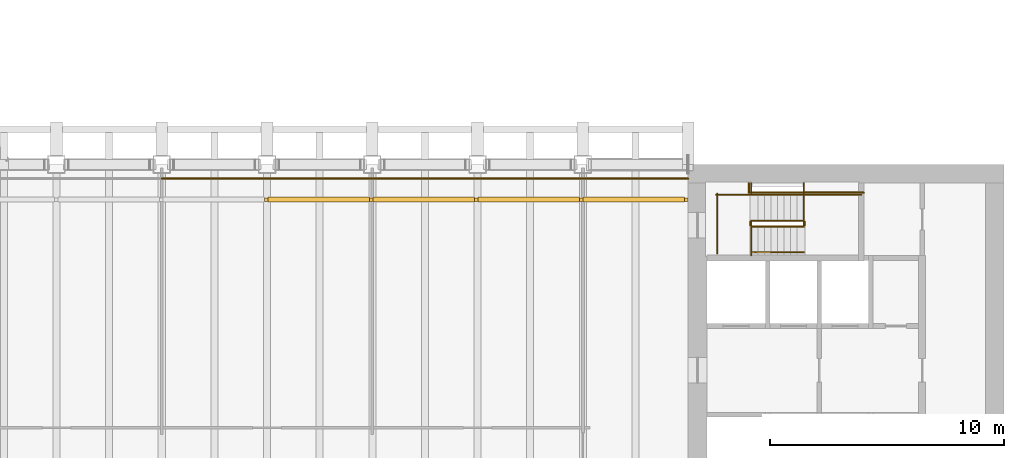
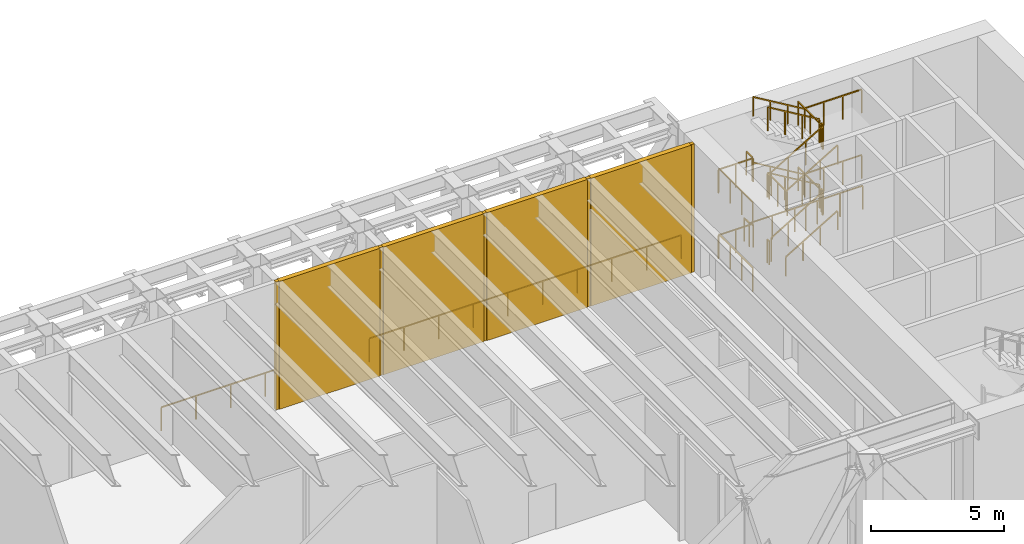
# One storey, part 18 of 20: 29 railings, 9 shading devices.
"""IFC4 building model written with IfcOpenShell, lengths in metres."""

from ifc_helpers import new_model, si_unit, direction, frame, origin, origin_2d, place, context, subcontext, project, spatial, rectangle, extrude, material, layer, layer_set, type_object, element, save


model = new_model("IFC4")

# Units and contexts
model_context = context("Model", 3, precision=1e-05, world=origin(), true_north=direction((0.0, 1.0)))
body_context = subcontext(model_context, "Body", "Model", "MODEL_VIEW")
ifc_project = project(units=[si_unit("LENGTHUNIT", "METRE"), si_unit("AREAUNIT", "SQUARE_METRE"), si_unit("VOLUMEUNIT", "CUBIC_METRE"), si_unit("PLANEANGLEUNIT", "RADIAN"), si_unit("MASSUNIT", "GRAM", prefix="KILO")], contexts=[model_context])

# Site, building, storey
site_placement = place(None, origin())
site = spatial("IfcSite", under=ifc_project, at=site_placement, CompositionType="ELEMENT")
building_placement = place(site_placement, origin())
building = spatial("IfcBuilding", under=site, at=building_placement, Name="Sennacour Bend Tower", CompositionType="ELEMENT")
storey_placement = place(building_placement, frame((0.0, 0.0, 243.0)))
storey = spatial("IfcBuildingStorey", under=building, at=storey_placement, Name="L56", CompositionType="ELEMENT", Elevation=243.0)

# Railings
ifc_material_1 = material(Name="Stainless steel 316", Category="steel")
railing_type_1 = type_object("IfcRailingType", Name="GUARD 1100", PredefinedType="GUARDRAIL", material=ifc_material_1)
railing_1_placement = place(storey_placement, frame((31.499755859375, 21.89990234375, 0.0)))
element("IfcRailing", 1, at=railing_1_placement, inside=storey, type_object=railing_type_1, Name="Guard L56", PredefinedType="GUARDRAIL", context=body_context, shape_type="SweptSolid", body=[
    extrude(rectangle(XDim=0.048095703125, YDim=0.048095703125, at=origin_2d()), frame((0.0, 0.0, 1.076171875), z_axis=(1.0, 0.0, 0.0), x_axis=(0.0, 1.0, 0.0)), (0.0, 0.0, 1.0), 4.499755859375),
    extrude(rectangle(XDim=0.0419921875, YDim=0.0419921875, at=origin_2d()), origin(), (0.0, 0.0, 1.0), 1.052001953125),
    extrude(rectangle(XDim=0.0419921875, YDim=0.0419921875, at=origin_2d()), frame((1.5, 0.0, 0.0)), (0.0, 0.0, 1.0), 1.052001953125),
    extrude(rectangle(XDim=0.0419921875, YDim=0.0419921875, at=origin_2d()), frame((2.999755859375, 0.0, 0.0)), (0.0, 0.0, 1.0), 1.052001953125),
    extrude(rectangle(XDim=0.0419921875, YDim=0.0419921875, at=origin_2d()), frame((4.499755859375, 0.0, 0.0)), (0.0, 0.0, 1.0), 1.052001953125),
])
railing_2_placement = place(storey_placement, frame((35.99951171875, 21.89990234375, 0.0)))
element("IfcRailing", 2, at=railing_2_placement, inside=storey, type_object=railing_type_1, Name="Guard L56", PredefinedType="GUARDRAIL", context=body_context, shape_type="SweptSolid", body=[
    extrude(rectangle(XDim=0.048095703125, YDim=0.048095703125, at=origin_2d()), frame((0.0, 0.0, 1.076171875), z_axis=(1.0, 0.0, 0.0), x_axis=(0.0, 1.0, 0.0)), (0.0, 0.0, 1.0), 4.5),
    extrude(rectangle(XDim=0.0419921875, YDim=0.0419921875, at=origin_2d()), origin(), (0.0, 0.0, 1.0), 1.052001953125),
    extrude(rectangle(XDim=0.0419921875, YDim=0.0419921875, at=origin_2d()), frame((1.5, 0.0, 0.0)), (0.0, 0.0, 1.0), 1.052001953125),
    extrude(rectangle(XDim=0.0419921875, YDim=0.0419921875, at=origin_2d()), frame((3.0, 0.0, 0.0)), (0.0, 0.0, 1.0), 1.052001953125),
    extrude(rectangle(XDim=0.0419921875, YDim=0.0419921875, at=origin_2d()), frame((4.5, 0.0, 0.0)), (0.0, 0.0, 1.0), 1.052001953125),
])
for number, where, name in (
    (3, (40.49951171875, 21.89990234375, 0.0), "Guard L56"),
    (4, (44.999267578125, 21.89990234375, 0.0), "Guard L56"),
):
    element("IfcRailing", number, at=place(storey_placement, frame(where)), inside=storey, type_object=railing_type_1, Name=name, PredefinedType="GUARDRAIL", context=body_context, shape_type="SweptSolid", body=[
        extrude(rectangle(XDim=0.048095703125, YDim=0.048095703125, at=origin_2d()), frame((0.0, 0.0, 1.076171875), z_axis=(1.0, 0.0, 0.0), x_axis=(0.0, 1.0, 0.0)), (0.0, 0.0, 1.0), 4.499755859375),
        extrude(rectangle(XDim=0.0419921875, YDim=0.0419921875, at=origin_2d()), origin(), (0.0, 0.0, 1.0), 1.052001953125),
        extrude(rectangle(XDim=0.0419921875, YDim=0.0419921875, at=origin_2d()), frame((1.5, 0.0, 0.0)), (0.0, 0.0, 1.0), 1.052001953125),
        extrude(rectangle(XDim=0.0419921875, YDim=0.0419921875, at=origin_2d()), frame((2.999755859375, 0.0, 0.0)), (0.0, 0.0, 1.0), 1.052001953125),
        extrude(rectangle(XDim=0.0419921875, YDim=0.0419921875, at=origin_2d()), frame((4.499755859375, 0.0, 0.0)), (0.0, 0.0, 1.0), 1.052001953125),
    ])
railing_3_placement = place(storey_placement, frame((49.4990234375, 21.89990234375, 0.0)))
element("IfcRailing", 5, at=railing_3_placement, inside=storey, type_object=railing_type_1, Name="Guard L56", PredefinedType="GUARDRAIL", context=body_context, shape_type="SweptSolid", body=[
    extrude(rectangle(XDim=0.048095703125, YDim=0.048095703125, at=origin_2d()), frame((0.0, 0.0, 1.076171875), z_axis=(1.0, 0.0, 0.0), x_axis=(0.0, 1.0, 0.0)), (0.0, 0.0, 1.0), 4.5),
    extrude(rectangle(XDim=0.0419921875, YDim=0.0419921875, at=origin_2d()), origin(), (0.0, 0.0, 1.0), 1.052001953125),
    extrude(rectangle(XDim=0.0419921875, YDim=0.0419921875, at=origin_2d()), frame((1.5, 0.0, 0.0)), (0.0, 0.0, 1.0), 1.052001953125),
    extrude(rectangle(XDim=0.0419921875, YDim=0.0419921875, at=origin_2d()), frame((3.0, 0.0, 0.0)), (0.0, 0.0, 1.0), 1.052001953125),
    extrude(rectangle(XDim=0.0419921875, YDim=0.0419921875, at=origin_2d()), frame((4.5, 0.0, 0.0)), (0.0, 0.0, 1.0), 1.052001953125),
])

# Shading devices
ifc_material_2 = material(Name="Dark bronze anodised aluminium louvre", Category="aluminium")
ifc_layer = layer(ifc_material_2, 0.199951171875, Name="Dark bronze anodised aluminium louvre", Category="aluminium")
ifc_layer_set = layer_set([ifc_layer], Name="Dark bronze anodised aluminium louvre")
shading_device_type_1 = type_object("IfcShadingDeviceType", Name="LOUVRE BANK 200", PredefinedType="USERDEFINED", material=ifc_layer_set)
for number, where, z_axis, x_axis, name in (
    (6, (38.2119140625, 21.0, 0.0), (0.0, 0.0, 1.0), (1.0, 0.0, 0.0), "Louvre bank L56"),
    (7, (42.701171875, 21.0, 0.0), (0.0, 0.0, 1.0), (1.0, 0.0, 0.0), "Louvre bank L56"),
    (8, (47.190185546875, 21.0, 0.0), (0.0, 0.0, 1.0), (1.0, 0.0, 0.0), "Louvre bank L56"),
    (9, (51.679443359375, 21.0, 0.0), (0.0, 0.0, 1.0), (1.0, 0.0, 0.0), "Louvre bank L56"),
):
    element("IfcShadingDevice", number, at=place(storey_placement, frame(where, z_axis=z_axis, x_axis=x_axis)), inside=storey, type_object=shading_device_type_1, Name=name, ObjectType="LOUVRE", PredefinedType="USERDEFINED", context=body_context, shape_type="SweptSolid", body=[
        extrude(rectangle(XDim=4.34912109375, YDim=0.199951171875, at=origin_2d()), origin(), (0.0, 0.0, 1.0), 5.85009765625),
    ])
shading_device_type_2 = type_object("IfcShadingDeviceType", Name="LOUVRE WALL POST 150", PredefinedType="USERDEFINED", material=ifc_material_2)
for number, where, z_axis, x_axis, name in (
    (10, (35.96728515625, 21.0, 0.0), (0.0, 0.0, 1.0), (1.0, 0.0, 0.0), "Louvre wall post L56"),
    (11, (40.45654296875, 21.0, 0.0), (0.0, 0.0, 1.0), (1.0, 0.0, 0.0), "Louvre wall post L56"),
    (12, (44.94580078125, 21.0, 0.0), (0.0, 0.0, 1.0), (1.0, 0.0, 0.0), "Louvre wall post L56"),
    (13, (49.434814453125, 21.0, 0.0), (0.0, 0.0, 1.0), (1.0, 0.0, 0.0), "Louvre wall post L56"),
    (14, (53.924072265625, 21.0, 0.0), (0.0, 0.0, 1.0), (1.0, 0.0, 0.0), "Louvre wall post L56"),
):
    element("IfcShadingDevice", number, at=place(storey_placement, frame(where, z_axis=z_axis, x_axis=x_axis)), inside=storey, type_object=shading_device_type_2, Name=name, ObjectType="LOUVRE", PredefinedType="USERDEFINED", context=body_context, shape_type="SweptSolid", body=[
        extrude(rectangle(XDim=0.14990234375, YDim=0.14990234375, at=origin_2d()), origin(), (0.0, 0.0, 1.0), 5.85009765625),
    ])

# Railings
ifc_material_3 = material(Name="Stainless steel", Category="steel")
railing_type_2 = type_object("IfcRailingType", Name="RL-GUARD-1100", PredefinedType="GUARDRAIL", material=ifc_material_3)
railing_4_placement = place(storey_placement, frame((56.699951171875, 19.85009765625, 0.166748046875)))
element("IfcRailing", 15, at=railing_4_placement, inside=storey, type_object=railing_type_2, Name="L56 SA2 stair guard 1", PredefinedType="GUARDRAIL", context=body_context, shape_type="SweptSolid", body=[
    extrude(rectangle(XDim=0.048095703125, YDim=0.048095703125, at=origin_2d()), frame((0.0, 0.0, 1.076171875), z_axis=(0.859305625298, 0.0, 0.511462454469), x_axis=(0.0, 1.0, 0.0)), (0.0, 0.0, 1.0), 2.606689453125),
    extrude(rectangle(XDim=0.0419921875, YDim=0.0419921875, at=origin_2d()), origin(), (0.0, 0.0, 1.0), 1.052001953125),
    extrude(rectangle(XDim=0.0419921875, YDim=0.0419921875, at=origin_2d()), frame((0.74658203125, 0.0, 0.4443359375)), (0.0, 0.0, 1.0), 1.052001953125),
    extrude(rectangle(XDim=0.0419921875, YDim=0.0419921875, at=origin_2d()), frame((1.493408203125, 0.0, 0.888916015625)), (0.0, 0.0, 1.0), 1.052001953125),
    extrude(rectangle(XDim=0.0419921875, YDim=0.0419921875, at=origin_2d()), frame((2.239990234375, 0.0, 1.333251953125)), (0.0, 0.0, 1.0), 1.052001953125),
])
railing_5_placement = place(storey_placement, frame((58.989990234375, 19.89990234375, 1.5)))
element("IfcRailing", 16, at=railing_5_placement, inside=storey, type_object=railing_type_2, Name="L56 SA2 stair guard 2", PredefinedType="GUARDRAIL", context=body_context, shape_type="SweptSolid", body=[
    extrude(rectangle(XDim=0.048095703125, YDim=0.048095703125, at=origin_2d()), frame((0.0, 0.0, 1.076171875), z_axis=(0.0, 1.0, 0.0), x_axis=(-1.0, 0.0, 0.0)), (0.0, 0.0, 1.0), 0.150146484375),
    extrude(rectangle(XDim=0.0419921875, YDim=0.0419921875, at=origin_2d()), origin(), (0.0, 0.0, 1.0), 1.052001953125),
    extrude(rectangle(XDim=0.0419921875, YDim=0.0419921875, at=origin_2d()), frame((0.0, 0.150146484375, 0.0)), (0.0, 0.0, 1.0), 1.052001953125),
])
railing_6_placement = place(storey_placement, frame((58.93994140625, 21.199951171875, 1.5)))
element("IfcRailing", 17, at=railing_6_placement, inside=storey, type_object=railing_type_2, Name="L56 SA2 stair guard 3", PredefinedType="GUARDRAIL", context=body_context, shape_type="SweptSolid", body=[
    extrude(rectangle(XDim=0.048095703125, YDim=0.048095703125, at=origin_2d()), frame((0.0, 0.0, 1.076171875), z_axis=(1.0, 0.0, 0.0), x_axis=(0.0, 1.0, 0.0)), (0.0, 0.0, 1.0), 2.4599609375),
    extrude(rectangle(XDim=0.0419921875, YDim=0.0419921875, at=origin_2d()), origin(), (0.0, 0.0, 1.0), 1.052001953125),
    extrude(rectangle(XDim=0.0419921875, YDim=0.0419921875, at=origin_2d()), frame((0.820068359375, 0.0, 0.0)), (0.0, 0.0, 1.0), 1.052001953125),
    extrude(rectangle(XDim=0.0419921875, YDim=0.0419921875, at=origin_2d()), frame((1.639892578125, 0.0, 0.0)), (0.0, 0.0, 1.0), 1.052001953125),
    extrude(rectangle(XDim=0.0419921875, YDim=0.0419921875, at=origin_2d()), frame((2.4599609375, 0.0, 0.0)), (0.0, 0.0, 1.0), 1.052001953125),
])
railing_7_placement = place(storey_placement, frame((58.93994140625, 20.10009765625, 1.666748046875)))
element("IfcRailing", 18, at=railing_7_placement, inside=storey, type_object=railing_type_2, Name="L56 SA2 stair guard 4", PredefinedType="GUARDRAIL", context=body_context, shape_type="SweptSolid", body=[
    extrude(rectangle(XDim=0.048095703125, YDim=0.048095703125, at=origin_2d()), frame((0.0, 0.0, 1.076171875), z_axis=(-0.859305625298, 0.0, 0.511462454469), x_axis=(0.0, -1.0, 0.0)), (0.0, 0.0, 1.0), 2.606689453125),
    extrude(rectangle(XDim=0.0419921875, YDim=0.0419921875, at=origin_2d()), origin(), (0.0, 0.0, 1.0), 1.052001953125),
    extrude(rectangle(XDim=0.0419921875, YDim=0.0419921875, at=origin_2d()), frame((-0.74658203125, 0.0, 0.4443359375)), (0.0, 0.0, 1.0), 1.052001953125),
    extrude(rectangle(XDim=0.0419921875, YDim=0.0419921875, at=origin_2d()), frame((-1.493408203125, 0.0, 0.888916015625)), (0.0, 0.0, 1.0), 1.052001953125),
    extrude(rectangle(XDim=0.0419921875, YDim=0.0419921875, at=origin_2d()), frame((-2.239990234375, 0.0, 1.333251953125)), (0.0, 0.0, 1.0), 1.052001953125),
])
railing_8_placement = place(storey_placement, frame((56.64990234375, 19.89990234375, 3.0)))
element("IfcRailing", 19, at=railing_8_placement, inside=storey, type_object=railing_type_2, Name="L56 SA2 stair guard 5", PredefinedType="GUARDRAIL", context=body_context, shape_type="SweptSolid", body=[
    extrude(rectangle(XDim=0.048095703125, YDim=0.048095703125, at=origin_2d()), frame((0.0, 0.0, 1.076171875), z_axis=(0.0, 1.0, 0.0), x_axis=(-1.0, 0.0, 0.0)), (0.0, 0.0, 1.0), 0.150146484375),
    extrude(rectangle(XDim=0.0419921875, YDim=0.0419921875, at=origin_2d()), origin(), (0.0, 0.0, 1.0), 1.052001953125),
    extrude(rectangle(XDim=0.0419921875, YDim=0.0419921875, at=origin_2d()), frame((0.0, 0.150146484375, 0.0)), (0.0, 0.0, 1.0), 1.052001953125),
])
railing_9_placement = place(storey_placement, frame((55.199951171875, 21.199951171875, 3.0)))
element("IfcRailing", 20, at=railing_9_placement, inside=storey, type_object=railing_type_2, Name="L56 SA2 stair guard 6", PredefinedType="GUARDRAIL", context=body_context, shape_type="SweptSolid", body=[
    extrude(rectangle(XDim=0.048095703125, YDim=0.048095703125, at=origin_2d()), frame((0.0, 0.0, 1.076171875), z_axis=(1.0, 0.0, 0.0), x_axis=(0.0, 1.0, 0.0)), (0.0, 0.0, 1.0), 1.5),
    extrude(rectangle(XDim=0.0419921875, YDim=0.0419921875, at=origin_2d()), origin(), (0.0, 0.0, 1.0), 1.052001953125),
    extrude(rectangle(XDim=0.0419921875, YDim=0.0419921875, at=origin_2d()), frame((0.75, 0.0, 0.0)), (0.0, 0.0, 1.0), 1.052001953125),
    extrude(rectangle(XDim=0.0419921875, YDim=0.0419921875, at=origin_2d()), frame((1.5, 0.0, 0.0)), (0.0, 0.0, 1.0), 1.052001953125),
])
railing_10_placement = place(storey_placement, frame((55.25, 18.699951171875, 3.0)))
element("IfcRailing", 21, at=railing_10_placement, inside=storey, type_object=railing_type_2, Name="L56 SA2 stair guard 7", PredefinedType="GUARDRAIL", context=body_context, shape_type="SweptSolid", body=[
    extrude(rectangle(XDim=0.048095703125, YDim=0.048095703125, at=origin_2d()), frame((0.0, 0.0, 1.076171875), z_axis=(0.0, 1.0, 0.0), x_axis=(-1.0, 0.0, 0.0)), (0.0, 0.0, 1.0), 2.550048828125),
    extrude(rectangle(XDim=0.0419921875, YDim=0.0419921875, at=origin_2d()), origin(), (0.0, 0.0, 1.0), 1.052001953125),
    extrude(rectangle(XDim=0.0419921875, YDim=0.0419921875, at=origin_2d()), frame((0.0, 0.85009765625, 0.0)), (0.0, 0.0, 1.0), 1.052001953125),
    extrude(rectangle(XDim=0.0419921875, YDim=0.0419921875, at=origin_2d()), frame((0.0, 1.699951171875, 0.0)), (0.0, 0.0, 1.0), 1.052001953125),
    extrude(rectangle(XDim=0.0419921875, YDim=0.0419921875, at=origin_2d()), frame((0.0, 2.550048828125, 0.0)), (0.0, 0.0, 1.0), 1.052001953125),
])
railing_11_placement = place(storey_placement, frame((56.699951171875, 19.85009765625, 3.166748046875)))
element("IfcRailing", 22, at=railing_11_placement, inside=storey, type_object=railing_type_2, Name="L56 SA2 stair guard 8", PredefinedType="GUARDRAIL", context=body_context, shape_type="SweptSolid", body=[
    extrude(rectangle(XDim=0.048095703125, YDim=0.048095703125, at=origin_2d()), frame((0.0, 0.0, 1.076171875), z_axis=(0.859305625298, 0.0, 0.511462454469), x_axis=(0.0, 1.0, 0.0)), (0.0, 0.0, 1.0), 2.606689453125),
    extrude(rectangle(XDim=0.0419921875, YDim=0.0419921875, at=origin_2d()), origin(), (0.0, 0.0, 1.0), 1.052001953125),
    extrude(rectangle(XDim=0.0419921875, YDim=0.0419921875, at=origin_2d()), frame((0.74658203125, 0.0, 0.4443359375)), (0.0, 0.0, 1.0), 1.052001953125),
    extrude(rectangle(XDim=0.0419921875, YDim=0.0419921875, at=origin_2d()), frame((1.493408203125, 0.0, 0.888916015625)), (0.0, 0.0, 1.0), 1.052001953125),
    extrude(rectangle(XDim=0.0419921875, YDim=0.0419921875, at=origin_2d()), frame((2.239990234375, 0.0, 1.333251953125)), (0.0, 0.0, 1.0), 1.052001953125),
])
railing_12_placement = place(storey_placement, frame((58.989990234375, 19.89990234375, 4.5)))
element("IfcRailing", 23, at=railing_12_placement, inside=storey, type_object=railing_type_2, Name="L56 SA2 stair guard 9", PredefinedType="GUARDRAIL", context=body_context, shape_type="SweptSolid", body=[
    extrude(rectangle(XDim=0.048095703125, YDim=0.048095703125, at=origin_2d()), frame((0.0, 0.0, 1.076171875), z_axis=(0.0, 1.0, 0.0), x_axis=(-1.0, 0.0, 0.0)), (0.0, 0.0, 1.0), 0.150146484375),
    extrude(rectangle(XDim=0.0419921875, YDim=0.0419921875, at=origin_2d()), origin(), (0.0, 0.0, 1.0), 1.052001953125),
    extrude(rectangle(XDim=0.0419921875, YDim=0.0419921875, at=origin_2d()), frame((0.0, 0.150146484375, 0.0)), (0.0, 0.0, 1.0), 1.052001953125),
])
railing_13_placement = place(storey_placement, frame((58.93994140625, 21.199951171875, 4.5)))
element("IfcRailing", 24, at=railing_13_placement, inside=storey, type_object=railing_type_2, Name="L56 SA2 stair guard 10", PredefinedType="GUARDRAIL", context=body_context, shape_type="SweptSolid", body=[
    extrude(rectangle(XDim=0.048095703125, YDim=0.048095703125, at=origin_2d()), frame((0.0, 0.0, 1.076171875), z_axis=(1.0, 0.0, 0.0), x_axis=(0.0, 1.0, 0.0)), (0.0, 0.0, 1.0), 2.4599609375),
    extrude(rectangle(XDim=0.0419921875, YDim=0.0419921875, at=origin_2d()), origin(), (0.0, 0.0, 1.0), 1.052001953125),
    extrude(rectangle(XDim=0.0419921875, YDim=0.0419921875, at=origin_2d()), frame((0.820068359375, 0.0, 0.0)), (0.0, 0.0, 1.0), 1.052001953125),
    extrude(rectangle(XDim=0.0419921875, YDim=0.0419921875, at=origin_2d()), frame((1.639892578125, 0.0, 0.0)), (0.0, 0.0, 1.0), 1.052001953125),
    extrude(rectangle(XDim=0.0419921875, YDim=0.0419921875, at=origin_2d()), frame((2.4599609375, 0.0, 0.0)), (0.0, 0.0, 1.0), 1.052001953125),
])
railing_14_placement = place(storey_placement, frame((58.93994140625, 20.10009765625, 4.666748046875)))
element("IfcRailing", 25, at=railing_14_placement, inside=storey, type_object=railing_type_2, Name="L56 SA2 stair guard 11", PredefinedType="GUARDRAIL", context=body_context, shape_type="SweptSolid", body=[
    extrude(rectangle(XDim=0.048095703125, YDim=0.048095703125, at=origin_2d()), frame((0.0, 0.0, 1.076171875), z_axis=(-0.859305625298, 0.0, 0.511462454469), x_axis=(0.0, -1.0, 0.0)), (0.0, 0.0, 1.0), 2.606689453125),
    extrude(rectangle(XDim=0.0419921875, YDim=0.0419921875, at=origin_2d()), origin(), (0.0, 0.0, 1.0), 1.052001953125),
    extrude(rectangle(XDim=0.0419921875, YDim=0.0419921875, at=origin_2d()), frame((-0.74658203125, 0.0, 0.4443359375)), (0.0, 0.0, 1.0), 1.052001953125),
    extrude(rectangle(XDim=0.0419921875, YDim=0.0419921875, at=origin_2d()), frame((-1.493408203125, 0.0, 0.888916015625)), (0.0, 0.0, 1.0), 1.052001953125),
    extrude(rectangle(XDim=0.0419921875, YDim=0.0419921875, at=origin_2d()), frame((-2.239990234375, 0.0, 1.333251953125)), (0.0, 0.0, 1.0), 1.052001953125),
])
railing_15_placement = place(storey_placement, frame((56.64990234375, 19.89990234375, 0.0)))
element("IfcRailing", 26, at=railing_15_placement, inside=storey, type_object=railing_type_2, Name="L56 SA2 stair guard 12", PredefinedType="GUARDRAIL", context=body_context, shape_type="SweptSolid", body=[
    extrude(rectangle(XDim=0.048095703125, YDim=0.048095703125, at=origin_2d()), frame((0.0, 0.0, 1.076171875), z_axis=(0.0, 1.0, 0.0), x_axis=(-1.0, 0.0, 0.0)), (0.0, 0.0, 1.0), 0.150146484375),
    extrude(rectangle(XDim=0.0419921875, YDim=0.0419921875, at=origin_2d()), origin(), (0.0, 0.0, 1.0), 1.052001953125),
    extrude(rectangle(XDim=0.0419921875, YDim=0.0419921875, at=origin_2d()), frame((0.0, 0.150146484375, 0.0)), (0.0, 0.0, 1.0), 1.052001953125),
])
railing_16_placement = place(storey_placement, frame((55.199951171875, 21.199951171875, 0.0)))
element("IfcRailing", 27, at=railing_16_placement, inside=storey, type_object=railing_type_2, Name="L56 SA2 stair guard 13", PredefinedType="GUARDRAIL", context=body_context, shape_type="SweptSolid", body=[
    extrude(rectangle(XDim=0.048095703125, YDim=0.048095703125, at=origin_2d()), frame((0.0, 0.0, 1.076171875), z_axis=(1.0, 0.0, 0.0), x_axis=(0.0, 1.0, 0.0)), (0.0, 0.0, 1.0), 1.5),
    extrude(rectangle(XDim=0.0419921875, YDim=0.0419921875, at=origin_2d()), origin(), (0.0, 0.0, 1.0), 1.052001953125),
    extrude(rectangle(XDim=0.0419921875, YDim=0.0419921875, at=origin_2d()), frame((0.75, 0.0, 0.0)), (0.0, 0.0, 1.0), 1.052001953125),
    extrude(rectangle(XDim=0.0419921875, YDim=0.0419921875, at=origin_2d()), frame((1.5, 0.0, 0.0)), (0.0, 0.0, 1.0), 1.052001953125),
])
railing_17_placement = place(storey_placement, frame((55.25, 18.699951171875, 0.0)))
element("IfcRailing", 28, at=railing_17_placement, inside=storey, type_object=railing_type_2, Name="L56 SA2 stair guard 14", PredefinedType="GUARDRAIL", context=body_context, shape_type="SweptSolid", body=[
    extrude(rectangle(XDim=0.048095703125, YDim=0.048095703125, at=origin_2d()), frame((0.0, 0.0, 1.076171875), z_axis=(0.0, 1.0, 0.0), x_axis=(-1.0, 0.0, 0.0)), (0.0, 0.0, 1.0), 2.550048828125),
    extrude(rectangle(XDim=0.0419921875, YDim=0.0419921875, at=origin_2d()), origin(), (0.0, 0.0, 1.0), 1.052001953125),
    extrude(rectangle(XDim=0.0419921875, YDim=0.0419921875, at=origin_2d()), frame((0.0, 0.85009765625, 0.0)), (0.0, 0.0, 1.0), 1.052001953125),
    extrude(rectangle(XDim=0.0419921875, YDim=0.0419921875, at=origin_2d()), frame((0.0, 1.699951171875, 0.0)), (0.0, 0.0, 1.0), 1.052001953125),
    extrude(rectangle(XDim=0.0419921875, YDim=0.0419921875, at=origin_2d()), frame((0.0, 2.550048828125, 0.0)), (0.0, 0.0, 1.0), 1.052001953125),
])
railing_18_placement = place(storey_placement, frame((56.60009765625, 21.300048828125, 0.0)))
element("IfcRailing", 29, at=railing_18_placement, inside=storey, type_object=railing_type_2, Name="L56 SA2 stair guard 15", PredefinedType="GUARDRAIL", context=body_context, shape_type="SweptSolid", body=[
    extrude(rectangle(XDim=0.048095703125, YDim=0.048095703125, at=origin_2d()), frame((0.0, 0.0, 1.076171875), z_axis=(1.0, 0.0, 0.0), x_axis=(0.0, 1.0, 0.0)), (0.0, 0.0, 1.0), 4.89990234375),
    extrude(rectangle(XDim=0.0419921875, YDim=0.0419921875, at=origin_2d()), origin(), (0.0, 0.0, 1.0), 1.052001953125),
    extrude(rectangle(XDim=0.0419921875, YDim=0.0419921875, at=origin_2d()), frame((0.97998046875, 0.0, 0.0)), (0.0, 0.0, 1.0), 1.052001953125),
    extrude(rectangle(XDim=0.0419921875, YDim=0.0419921875, at=origin_2d()), frame((1.9599609375, 0.0, 0.0)), (0.0, 0.0, 1.0), 1.052001953125),
    extrude(rectangle(XDim=0.0419921875, YDim=0.0419921875, at=origin_2d()), frame((2.93994140625, 0.0, 0.0)), (0.0, 0.0, 1.0), 1.052001953125),
    extrude(rectangle(XDim=0.0419921875, YDim=0.0419921875, at=origin_2d()), frame((3.919921875, 0.0, 0.0)), (0.0, 0.0, 1.0), 1.052001953125),
    extrude(rectangle(XDim=0.0419921875, YDim=0.0419921875, at=origin_2d()), frame((4.89990234375, 0.0, 0.0)), (0.0, 0.0, 1.0), 1.052001953125),
])
railing_19_placement = place(storey_placement, frame((58.93994140625, 19.89990234375, 1.5)))
element("IfcRailing", 30, at=railing_19_placement, inside=storey, type_object=railing_type_2, Name="L56 SA2 landing edge guard 73", PredefinedType="GUARDRAIL", context=body_context, shape_type="SweptSolid", body=[
    extrude(rectangle(XDim=0.048095703125, YDim=0.048095703125, at=origin_2d()), frame((0.0, 0.0, 1.076171875), z_axis=(0.0, 1.0, 0.0), x_axis=(-1.0, 0.0, 0.0)), (0.0, 0.0, 1.0), 1.800048828125),
    extrude(rectangle(XDim=0.0419921875, YDim=0.0419921875, at=origin_2d()), origin(), (0.0, 0.0, 1.0), 1.052001953125),
    extrude(rectangle(XDim=0.0419921875, YDim=0.0419921875, at=origin_2d()), frame((0.0, 0.89990234375, 0.0)), (0.0, 0.0, 1.0), 1.052001953125),
    extrude(rectangle(XDim=0.0419921875, YDim=0.0419921875, at=origin_2d()), frame((0.0, 1.800048828125, 0.0)), (0.0, 0.0, 1.0), 1.052001953125),
])
railing_20_placement = place(storey_placement, frame((56.699951171875, 21.699951171875, 3.0)))
element("IfcRailing", 31, at=railing_20_placement, inside=storey, type_object=railing_type_2, Name="L56 SA2 landing edge guard 74", PredefinedType="GUARDRAIL", context=body_context, shape_type="SweptSolid", body=[
    extrude(rectangle(XDim=0.048095703125, YDim=0.048095703125, at=origin_2d()), frame((0.0, 0.0, 1.076171875), z_axis=(0.0, -1.0, 0.0), x_axis=(1.0, 0.0, 0.0)), (0.0, 0.0, 1.0), 0.449951171875),
    extrude(rectangle(XDim=0.0419921875, YDim=0.0419921875, at=origin_2d()), origin(), (0.0, 0.0, 1.0), 1.052001953125),
    extrude(rectangle(XDim=0.0419921875, YDim=0.0419921875, at=origin_2d()), frame((0.0, -0.449951171875, 0.0)), (0.0, 0.0, 1.0), 1.052001953125),
])
railing_21_placement = place(storey_placement, frame((56.699951171875, 20.050048828125, 3.0)))
element("IfcRailing", 32, at=railing_21_placement, inside=storey, type_object=railing_type_2, Name="L56 SA2 landing edge guard 75", PredefinedType="GUARDRAIL", context=body_context, shape_type="SweptSolid", body=[
    extrude(rectangle(XDim=0.048095703125, YDim=0.048095703125, at=origin_2d()), frame((0.0, 0.0, 1.076171875), z_axis=(0.0, -1.0, 0.0), x_axis=(1.0, 0.0, 0.0)), (0.0, 0.0, 1.0), 1.425048828125),
    extrude(rectangle(XDim=0.0419921875, YDim=0.0419921875, at=origin_2d()), origin(), (0.0, 0.0, 1.0), 1.052001953125),
    extrude(rectangle(XDim=0.0419921875, YDim=0.0419921875, at=origin_2d()), frame((0.0, -0.71240234375, 0.0)), (0.0, 0.0, 1.0), 1.052001953125),
    extrude(rectangle(XDim=0.0419921875, YDim=0.0419921875, at=origin_2d()), frame((0.0, -1.425048828125, 0.0)), (0.0, 0.0, 1.0), 1.052001953125),
])
railing_22_placement = place(storey_placement, frame((58.93994140625, 19.89990234375, 4.5)))
element("IfcRailing", 33, at=railing_22_placement, inside=storey, type_object=railing_type_2, Name="L56 SA2 landing edge guard 76", PredefinedType="GUARDRAIL", context=body_context, shape_type="SweptSolid", body=[
    extrude(rectangle(XDim=0.048095703125, YDim=0.048095703125, at=origin_2d()), frame((0.0, 0.0, 1.076171875), z_axis=(0.0, 1.0, 0.0), x_axis=(-1.0, 0.0, 0.0)), (0.0, 0.0, 1.0), 1.800048828125),
    extrude(rectangle(XDim=0.0419921875, YDim=0.0419921875, at=origin_2d()), origin(), (0.0, 0.0, 1.0), 1.052001953125),
    extrude(rectangle(XDim=0.0419921875, YDim=0.0419921875, at=origin_2d()), frame((0.0, 0.89990234375, 0.0)), (0.0, 0.0, 1.0), 1.052001953125),
    extrude(rectangle(XDim=0.0419921875, YDim=0.0419921875, at=origin_2d()), frame((0.0, 1.800048828125, 0.0)), (0.0, 0.0, 1.0), 1.052001953125),
])
railing_23_placement = place(storey_placement, frame((56.60009765625, 21.300048828125, 0.0)))
element("IfcRailing", 34, at=railing_23_placement, inside=storey, type_object=railing_type_2, Name="L56 SA2 landing edge guard 110", PredefinedType="GUARDRAIL", context=body_context, shape_type="SweptSolid", body=[
    extrude(rectangle(XDim=0.048095703125, YDim=0.048095703125, at=origin_2d()), frame((0.0, 0.0, 1.076171875), z_axis=(0.0, 1.0, 0.0), x_axis=(-1.0, 0.0, 0.0)), (0.0, 0.0, 1.0), 0.39990234375),
    extrude(rectangle(XDim=0.0419921875, YDim=0.0419921875, at=origin_2d()), origin(), (0.0, 0.0, 1.0), 1.052001953125),
    extrude(rectangle(XDim=0.0419921875, YDim=0.0419921875, at=origin_2d()), frame((0.0, 0.39990234375, 0.0)), (0.0, 0.0, 1.0), 1.052001953125),
])
railing_type_3 = type_object("IfcRailingType", Name="RL-HANDRAIL-900", PredefinedType="HANDRAIL", material=ifc_material_3)
railing_24_placement = place(storey_placement, frame((56.699951171875, 18.75, 0.166748046875)))
element("IfcRailing", 35, at=railing_24_placement, inside=storey, type_object=railing_type_3, Name="L56 SA2 stair handrail 1", PredefinedType="HANDRAIL", context=body_context, shape_type="SweptSolid", body=[
    extrude(rectangle(XDim=0.048095703125, YDim=0.048095703125, at=origin_2d()), frame((0.0, 0.0, 0.8759765625), z_axis=(0.859305625298, 0.0, 0.511462454469), x_axis=(0.0, 1.0, 0.0)), (0.0, 0.0, 1.0), 2.606689453125),
    extrude(rectangle(XDim=0.0419921875, YDim=0.0419921875, at=origin_2d()), origin(), (0.0, 0.0, 1.0), 0.851806640625),
    extrude(rectangle(XDim=0.0419921875, YDim=0.0419921875, at=origin_2d()), frame((0.74658203125, 0.0, 0.4443359375)), (0.0, 0.0, 1.0), 0.851806640625),
    extrude(rectangle(XDim=0.0419921875, YDim=0.0419921875, at=origin_2d()), frame((1.493408203125, 0.0, 0.888916015625)), (0.0, 0.0, 1.0), 0.851806640625),
    extrude(rectangle(XDim=0.0419921875, YDim=0.0419921875, at=origin_2d()), frame((2.239990234375, 0.0, 1.333251953125)), (0.0, 0.0, 1.0), 0.851806640625),
])
railing_25_placement = place(storey_placement, frame((58.93994140625, 21.199951171875, 1.666748046875)))
element("IfcRailing", 36, at=railing_25_placement, inside=storey, type_object=railing_type_3, Name="L56 SA2 stair handrail 2", PredefinedType="HANDRAIL", context=body_context, shape_type="SweptSolid", body=[
    extrude(rectangle(XDim=0.048095703125, YDim=0.048095703125, at=origin_2d()), frame((0.0, 0.0, 0.8759765625), z_axis=(-0.859305625298, 0.0, 0.511462454469), x_axis=(0.0, -1.0, 0.0)), (0.0, 0.0, 1.0), 2.606689453125),
    extrude(rectangle(XDim=0.0419921875, YDim=0.0419921875, at=origin_2d()), origin(), (0.0, 0.0, 1.0), 0.851806640625),
    extrude(rectangle(XDim=0.0419921875, YDim=0.0419921875, at=origin_2d()), frame((-0.74658203125, 0.0, 0.4443359375)), (0.0, 0.0, 1.0), 0.851806640625),
    extrude(rectangle(XDim=0.0419921875, YDim=0.0419921875, at=origin_2d()), frame((-1.493408203125, 0.0, 0.888916015625)), (0.0, 0.0, 1.0), 0.851806640625),
    extrude(rectangle(XDim=0.0419921875, YDim=0.0419921875, at=origin_2d()), frame((-2.239990234375, 0.0, 1.333251953125)), (0.0, 0.0, 1.0), 0.851806640625),
])
railing_26_placement = place(storey_placement, frame((56.699951171875, 18.75, 3.166748046875)))
element("IfcRailing", 37, at=railing_26_placement, inside=storey, type_object=railing_type_3, Name="L56 SA2 stair handrail 3", PredefinedType="HANDRAIL", context=body_context, shape_type="SweptSolid", body=[
    extrude(rectangle(XDim=0.048095703125, YDim=0.048095703125, at=origin_2d()), frame((0.0, 0.0, 0.8759765625), z_axis=(0.859305625298, 0.0, 0.511462454469), x_axis=(0.0, 1.0, 0.0)), (0.0, 0.0, 1.0), 2.606689453125),
    extrude(rectangle(XDim=0.0419921875, YDim=0.0419921875, at=origin_2d()), origin(), (0.0, 0.0, 1.0), 0.851806640625),
    extrude(rectangle(XDim=0.0419921875, YDim=0.0419921875, at=origin_2d()), frame((0.74658203125, 0.0, 0.4443359375)), (0.0, 0.0, 1.0), 0.851806640625),
    extrude(rectangle(XDim=0.0419921875, YDim=0.0419921875, at=origin_2d()), frame((1.493408203125, 0.0, 0.888916015625)), (0.0, 0.0, 1.0), 0.851806640625),
    extrude(rectangle(XDim=0.0419921875, YDim=0.0419921875, at=origin_2d()), frame((2.239990234375, 0.0, 1.333251953125)), (0.0, 0.0, 1.0), 0.851806640625),
])
railing_27_placement = place(storey_placement, frame((58.93994140625, 21.199951171875, 4.666748046875)))
element("IfcRailing", 38, at=railing_27_placement, inside=storey, type_object=railing_type_3, Name="L56 SA2 stair handrail 4", PredefinedType="HANDRAIL", context=body_context, shape_type="SweptSolid", body=[
    extrude(rectangle(XDim=0.048095703125, YDim=0.048095703125, at=origin_2d()), frame((0.0, 0.0, 0.8759765625), z_axis=(-0.859305625298, 0.0, 0.511462454469), x_axis=(0.0, -1.0, 0.0)), (0.0, 0.0, 1.0), 2.606689453125),
    extrude(rectangle(XDim=0.0419921875, YDim=0.0419921875, at=origin_2d()), origin(), (0.0, 0.0, 1.0), 0.851806640625),
    extrude(rectangle(XDim=0.0419921875, YDim=0.0419921875, at=origin_2d()), frame((-0.74658203125, 0.0, 0.4443359375)), (0.0, 0.0, 1.0), 0.851806640625),
    extrude(rectangle(XDim=0.0419921875, YDim=0.0419921875, at=origin_2d()), frame((-1.493408203125, 0.0, 0.888916015625)), (0.0, 0.0, 1.0), 0.851806640625),
    extrude(rectangle(XDim=0.0419921875, YDim=0.0419921875, at=origin_2d()), frame((-2.239990234375, 0.0, 1.333251953125)), (0.0, 0.0, 1.0), 0.851806640625),
])

save(model, "model.ifc")
